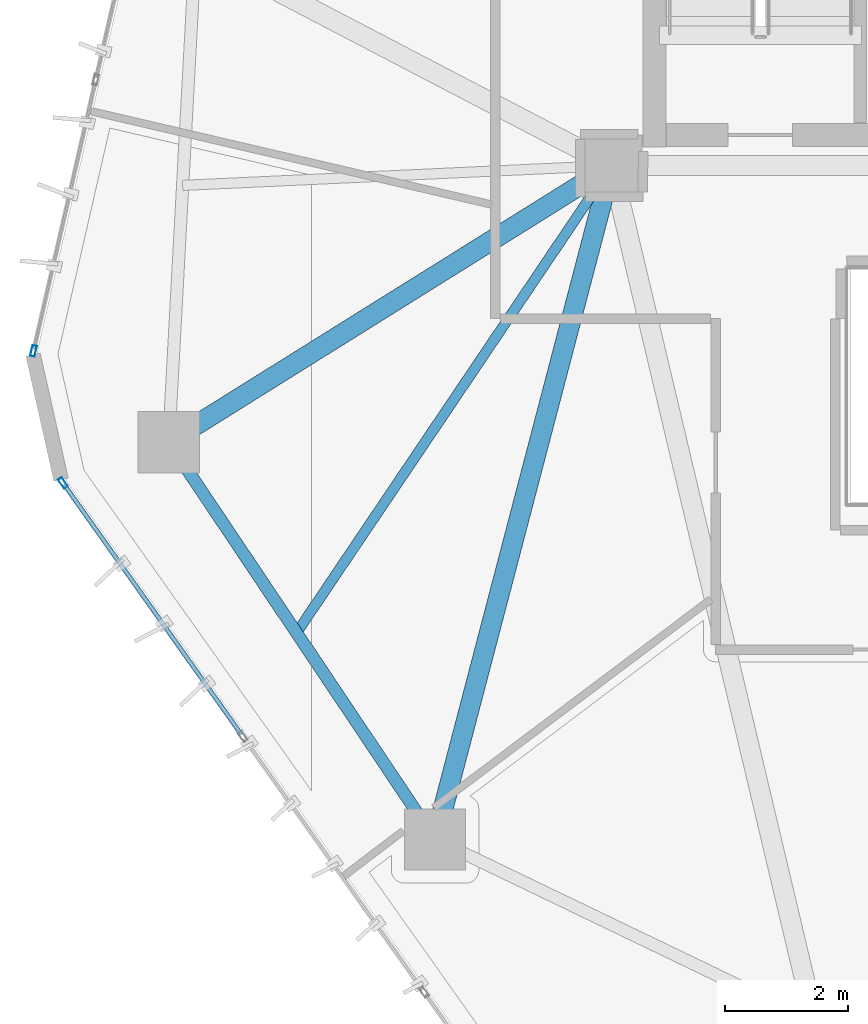
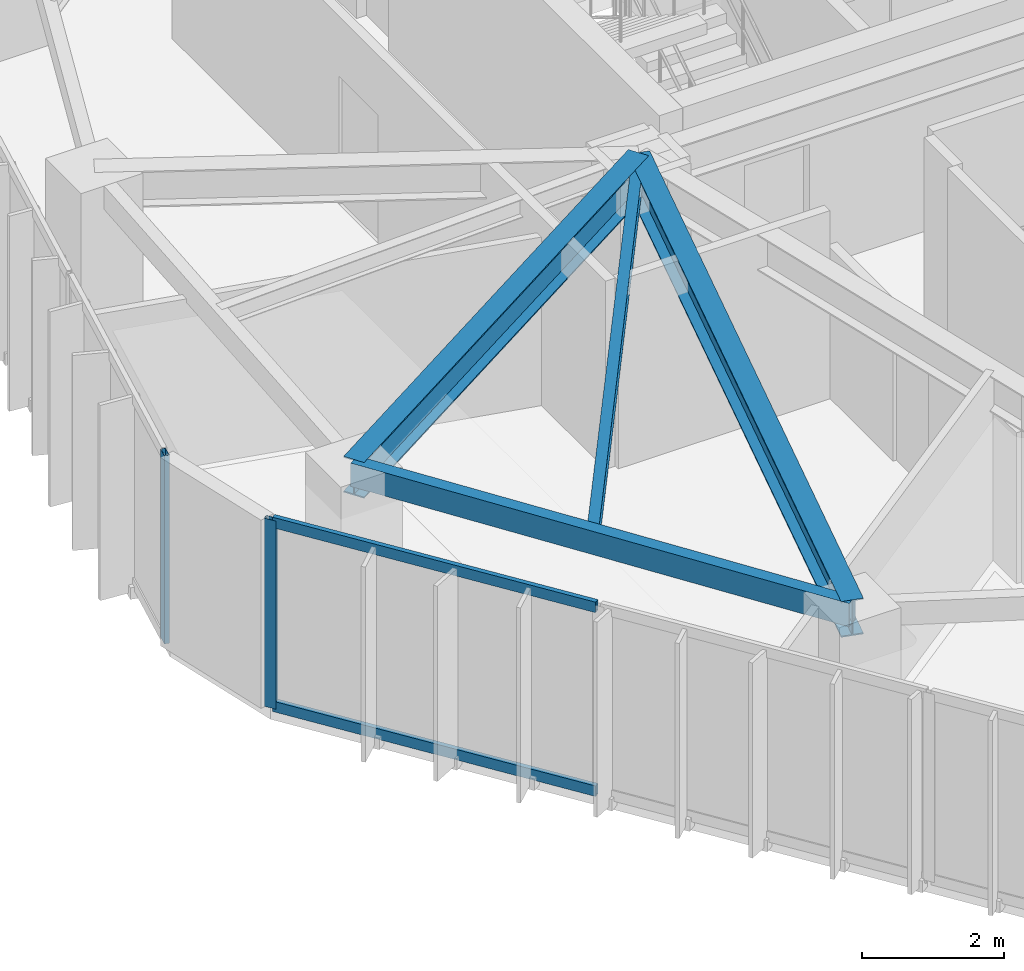
# One storey, part 3 of 18: 4 beams, 4 members, 2 elements without a shape of their own.
"""IFC4 building model written with IfcOpenShell, lengths in metres."""

import ifcopenshell
import ifcopenshell.guid

model = None  # the IFC model being written
_history = None  # IfcOwnerHistory: only IFC2X3 demands one
_inside = {}  # id of a spatial element -> (the spatial element, [elements in it])
_under = {}  # id of a project, library or spatial element -> (it, [spatial elements below it])
_declared = {}  # id of a project -> (the project, [libraries it declares])
_typed = {}  # id of a type object -> (the type object, [elements of that type])
_made_of = {}  # id of a material, layer set ... -> (it, [elements and type objects made of it])


def new_model(schema):
    """Start an empty IFC model of exactly this schema.

    Asked for "IFC4X3", IfcOpenShell would pick the latest addendum, in which some entities
    have other attributes; the version numbers below select the first issue.
    IFC2X3 requires an IfcOwnerHistory on every rooted entity: one is made here for all.
    """
    global model, _history
    if schema == "IFC4X3":
        model = ifcopenshell.file(schema_version=(4, 3, 0, 0))
    else:
        model = ifcopenshell.file(schema=schema)
    _inside.clear()
    _under.clear()
    _declared.clear()
    _typed.clear()
    _made_of.clear()
    _history = None
    if model.schema == "IFC2X3":
        org = make("IfcOrganization", Name="unknown")
        user = make(
            "IfcPersonAndOrganization",
            ThePerson=make("IfcPerson", FamilyName="unknown"),
            TheOrganization=org,
        )
        app = make(
            "IfcApplication",
            ApplicationDeveloper=org,
            Version="unknown",
            ApplicationFullName="unknown",
            ApplicationIdentifier="unknown",
        )
        _history = make(
            "IfcOwnerHistory",
            OwningUser=user,
            OwningApplication=app,
            ChangeAction="ADDED",
            CreationDate=0,
        )
    return model


def make(cls, **values):
    """One entity of the class cls with the attributes given. An attribute that is None is left unset."""
    return model.create_entity(
        cls, **{name: value for name, value in values.items() if value is not None}
    )


def rooted(cls, **values):
    """An entity with a GlobalId (a new one), such as an element, a storey or a relation."""
    return make(cls, GlobalId=ifcopenshell.guid.new(), OwnerHistory=_history, **values)


def si_unit(unit_type, name, prefix=None):
    """IfcSIUnit, for example si_unit("LENGTHUNIT", "METRE", prefix="MILLI")."""
    return make("IfcSIUnit", UnitType=unit_type, Prefix=prefix, Name=name)


def assignment(units):
    """IfcUnitAssignment: the units of a project."""
    return None if units is None else make("IfcUnitAssignment", Units=units)


def point(xyz):
    """IfcCartesianPoint."""
    return None if xyz is None else make("IfcCartesianPoint", Coordinates=xyz)


def direction(xyz):
    """IfcDirection."""
    return None if xyz is None else make("IfcDirection", DirectionRatios=xyz)


def frame(location, z_axis=None, x_axis=None):
    """IfcAxis2Placement3D, a coordinate frame: its origin and axes. An axis left out is left unset."""
    return make(
        "IfcAxis2Placement3D",
        Location=point(location),
        Axis=direction(z_axis),
        RefDirection=direction(x_axis),
    )


def frame_2d(location, x_axis=None):
    """IfcAxis2Placement2D, a coordinate frame in the plane: its origin and x axis."""
    return make(
        "IfcAxis2Placement2D", Location=point(location), RefDirection=direction(x_axis)
    )


def origin():
    """The frame at (0, 0, 0) with its axes left unset."""
    return frame((0.0, 0.0, 0.0))


def origin_2d():
    """The frame at (0, 0) in the plane with its x axis left unset."""
    return frame_2d((0.0, 0.0))


def place(relative_to, where):
    """IfcLocalPlacement: puts the frame where relative to a parent placement (None: the world)."""
    return make(
        "IfcLocalPlacement", PlacementRelTo=relative_to, RelativePlacement=where
    )


def context(
    kind, dimensions, precision=None, world=None, true_north=None, identifier=None
):
    """IfcGeometricRepresentationContext, for example the 3D "Model" context."""
    return make(
        "IfcGeometricRepresentationContext",
        ContextIdentifier=identifier,
        ContextType=kind,
        CoordinateSpaceDimension=dimensions,
        Precision=precision,
        WorldCoordinateSystem=world,
        TrueNorth=true_north,
    )


def subcontext(parent, identifier, kind, view, scale=None):
    """IfcGeometricRepresentationSubContext, for example "Body" below "Model"."""
    return make(
        "IfcGeometricRepresentationSubContext",
        ContextIdentifier=identifier,
        ContextType=kind,
        ParentContext=parent,
        TargetScale=scale,
        TargetView=view,
    )


def project(units=None, contexts=None):
    """IfcProject with its units and contexts."""
    return rooted(
        "IfcProject",
        Name="project",
        RepresentationContexts=contexts,
        UnitsInContext=assignment(units),
    )


def spatial(cls, under=None, at=None, **own):
    """A site, building, storey or space (cls), placed at a placement, below another one or the project."""
    s = rooted(cls, ObjectPlacement=at, **own)
    if under is not None:
        _under.setdefault(under.id(), (under, []))[1].append(s)
    return s


def profile(cls, at=None, kind="AREA", **sizes):
    """A parametric profile (cls). Its sizes go by their IFC names, for example OverallWidth=200.0."""
    return make(cls, ProfileType=kind, Position=at, **sizes)


def hollow_rectangle(**sizes):
    """IfcRectangleHollowProfileDef."""
    return profile("IfcRectangleHollowProfileDef", **sizes)


def i_section(**sizes):
    """IfcIShapeProfileDef."""
    return profile("IfcIShapeProfileDef", **sizes)


def extrude(swept, where, along, depth):
    """IfcExtrudedAreaSolid: the profile swept, set in the frame where, extruded along a direction by depth."""
    return make(
        "IfcExtrudedAreaSolid",
        SweptArea=swept,
        Position=where,
        ExtrudedDirection=direction(along),
        Depth=depth,
    )


def shape(context_of_items, identifier, shape_type, items):
    """IfcShapeRepresentation: the items that make up one representation, for example the "Body"."""
    return make(
        "IfcShapeRepresentation",
        ContextOfItems=context_of_items,
        RepresentationIdentifier=identifier,
        RepresentationType=shape_type,
        Items=items,
    )


def source(mapping_origin, context_of_items, identifier, shape_type, items):
    """IfcRepresentationMap: a shape defined once, which mapped items show again and again."""
    return make(
        "IfcRepresentationMap",
        MappingOrigin=mapping_origin,
        MappedRepresentation=shape(context_of_items, identifier, shape_type, items),
    )


def transform(
    local_origin,
    x_axis=None,
    y_axis=None,
    z_axis=None,
    scale=None,
    scale2=None,
    scale3=None,
    uniform=True,
):
    """IfcCartesianTransformationOperator3D, or its non-uniform kind. x_axis, y_axis, z_axis: its Axis1, 2, 3."""
    if uniform:
        return make(
            "IfcCartesianTransformationOperator3D",
            Axis1=direction(x_axis),
            Axis2=direction(y_axis),
            LocalOrigin=point(local_origin),
            Scale=scale,
            Axis3=direction(z_axis),
        )
    return make(
        "IfcCartesianTransformationOperator3DnonUniform",
        Axis1=direction(x_axis),
        Axis2=direction(y_axis),
        LocalOrigin=point(local_origin),
        Scale=scale,
        Axis3=direction(z_axis),
        Scale2=scale2,
        Scale3=scale3,
    )


def mapped(mapping_source, mapping_target):
    """IfcMappedItem: shows the shape of a source again, moved by a transform."""
    return make(
        "IfcMappedItem", MappingSource=mapping_source, MappingTarget=mapping_target
    )


def material(Name=None, Category=None):
    """IfcMaterial."""
    return make("IfcMaterial", Name=Name, Category=Category)


def layer(
    of_material, thickness, ventilated=None, Name=None, Category=None, Priority=None
):
    """IfcMaterialLayer: one layer of a wall or slab, of a material (None: an air gap)."""
    return make(
        "IfcMaterialLayer",
        Material=of_material,
        LayerThickness=thickness,
        IsVentilated=ventilated,
        Name=Name,
        Category=Category,
        Priority=Priority,
    )


def layer_set(layers, Name=None):
    """IfcMaterialLayerSet."""
    return make("IfcMaterialLayerSet", MaterialLayers=layers, LayerSetName=Name)


def material_profile(
    of_material, cross_section, Name=None, Category=None, Priority=None
):
    """IfcMaterialProfile: a cross section and its material."""
    return make(
        "IfcMaterialProfile",
        Name=Name,
        Material=of_material,
        Profile=cross_section,
        Priority=Priority,
        Category=Category,
    )


def profile_set(profiles, Name=None, composite=None):
    """IfcMaterialProfileSet."""
    return make(
        "IfcMaterialProfileSet",
        Name=Name,
        MaterialProfiles=profiles,
        CompositeProfile=composite,
    )


def made_of(thing, what):
    """Note that an element or type object is made of a material, layer set ...; save() writes the relation."""
    if what is not None:
        _made_of.setdefault(what.id(), (what, []))[1].append(thing)
    return thing


def type_object(cls, material=None, **own):
    """A type object (cls), such as IfcWallType, which elements share."""
    return made_of(rooted(cls, **own), material)


def type_shapes(of_type, sources):
    """Give a type object the sources (RepresentationMaps) that its elements show as mapped items."""
    of_type.RepresentationMaps = sources


def element(
    cls,
    number,
    at=None,
    inside=None,
    cuts=None,
    type_object=None,
    material=None,
    context=None,
    identifier="Body",
    shape_type=None,
    held_by="IfcProductDefinitionShape",
    body=None,
    shapes=None,
    **own,
):
    """One element of the class cls, such as IfcWall. Its Tag is "e" and its number.

    at: its placement. inside: the storey or other place that contains it. cuts: it is an
    opening in that element (IfcRelVoidsElement). A single representation is given by context,
    identifier, shape_type and body (its items); several are given by shapes. held_by: the class
    of the entity that holds the representations. save() writes the other relations.
    """
    e = rooted(cls, Tag="e%d" % number, ObjectPlacement=at, **own)
    if body is not None:
        shapes = [shape(context, identifier, shape_type, body)]
    if shapes is not None:
        e.Representation = make(held_by, Representations=shapes)
    if inside is not None:
        _inside.setdefault(inside.id(), (inside, []))[1].append(e)
    if cuts is not None:
        rooted(
            "IfcRelVoidsElement", RelatingBuildingElement=cuts, RelatedOpeningElement=e
        )
    if type_object is not None:
        _typed.setdefault(type_object.id(), (type_object, []))[1].append(e)
    return made_of(e, material)


def aggregate(whole, parts):
    """IfcRelAggregates: a whole, such as a stair, and the parts it consists of."""
    return rooted("IfcRelAggregates", RelatingObject=whole, RelatedObjects=parts)


def save(model, path):
    """Write the relations noted so far, then the file.

    IfcRelAggregates (storeys below a building ...), IfcRelContainedInSpatialStructure (elements
    in a storey), IfcRelDefinesByType, IfcRelAssociatesMaterial and IfcRelDeclares: one each for
    every whole, place, type object, material and project.
    """
    for whole, parts in _under.values():
        aggregate(whole, parts)
    for where, things in _inside.values():
        rooted(
            "IfcRelContainedInSpatialStructure",
            RelatedElements=things,
            RelatingStructure=where,
        )
    for kind, things in _typed.values():
        rooted("IfcRelDefinesByType", RelatedObjects=things, RelatingType=kind)
    for what, things in _made_of.values():
        rooted("IfcRelAssociatesMaterial", RelatedObjects=things, RelatingMaterial=what)
    for by, libraries in _declared.values():
        rooted("IfcRelDeclares", RelatingContext=by, RelatedDefinitions=libraries)
    model.write(path)


model = new_model("IFC4")

# Units and contexts
model_context = context("Model", 3, precision=1e-05, world=origin(), true_north=direction((0.0, 1.0)))
body_context = subcontext(model_context, "Body", "Model", "MODEL_VIEW")
ifc_project = project(units=[si_unit("LENGTHUNIT", "METRE"), si_unit("AREAUNIT", "SQUARE_METRE"), si_unit("VOLUMEUNIT", "CUBIC_METRE"), si_unit("PLANEANGLEUNIT", "RADIAN"), si_unit("MASSUNIT", "GRAM", prefix="KILO")], contexts=[model_context])

# Site, building, storey
site_placement = place(None, origin())
site = spatial("IfcSite", under=ifc_project, at=site_placement, CompositionType="ELEMENT")
building_placement = place(site_placement, origin())
building = spatial("IfcBuilding", under=site, at=building_placement, Name="Talar Marvaseh", CompositionType="ELEMENT")
storey_placement = place(building_placement, frame((0.0, 0.0, 188.0)))
storey = spatial("IfcBuildingStorey", under=building, at=storey_placement, Name="L49", CompositionType="ELEMENT", Elevation=188.0)

# Beams
ifc_material_1 = material(Name="Steel S355", Category="steel")
ifc_material_profile_1 = material_profile(ifc_material_1, hollow_rectangle(XDim=0.199951171875, YDim=0.39990234375, WallThickness=0.013916015625, at=origin_2d()), Name="RHS400x200x14")
ifc_profile_set_1 = profile_set([ifc_material_profile_1], Name="Steel S355")
beam_type_1 = type_object("IfcBeamType", Name="Zone 3 Perimeter Spandrel Beam RHS400x200x14", PredefinedType="SPANDREL", material=ifc_profile_set_1)
beam_1_placement = place(storey_placement, frame((15.819091796875, 14.5009765625, 3.030029296875), z_axis=(-0.556805579613, 0.830642851358, 0.0), x_axis=(-0.830642851358, -0.556805579613, 0.0)))
element("IfcBeam", 1, at=beam_1_placement, inside=storey, type_object=beam_type_1, Name="L49 Zone 3 Perimeter Spandrel Beam RHS400x200x14", PredefinedType="SPANDREL", context=body_context, shape_type="SweptSolid", body=[
    extrude(hollow_rectangle(XDim=0.199951171875, YDim=0.39990234375, WallThickness=0.013916015625, at=origin_2d()), origin(), (0.0, 0.0, 1.0), 7.807373046875),
])
ifc_material_profile_2 = material_profile(ifc_material_1, i_section(OverallWidth=0.324951171875, OverallDepth=0.615966796875, WebThickness=0.013916015625, FlangeThickness=0.021484375, at=origin_2d()), Name="W610x174")
ifc_profile_set_2 = profile_set([ifc_material_profile_2], Name="Steel S355")
beam_type_2 = type_object("IfcBeamType", Name="Zone 3 Radial Floor Girder W610x174", PredefinedType="BEAM", material=ifc_profile_set_2)
beam_2_placement = place(storey_placement, frame((15.819091796875, 14.5009765625, 2.922119140625), z_axis=(0.253372787776, 0.967368714821, 0.0), x_axis=(-0.967368714821, 0.253372787776, 0.0)))
element("IfcBeam", 2, at=beam_2_placement, inside=storey, type_object=beam_type_2, Name="L49 Zone 3 Radial Floor Girder W610x174", PredefinedType="BEAM", context=body_context, shape_type="SweptSolid", body=[
    extrude(i_section(OverallWidth=0.324951171875, OverallDepth=0.615966796875, WebThickness=0.013916015625, FlangeThickness=0.021484375, at=origin_2d()), origin(), (0.0, 0.0, 1.0), 11.3701171875),
])
beam_3_placement = place(storey_placement, frame((11.471923828125, 20.986083984375, 2.922119140625), z_axis=(0.848188171212, 0.52969503133, 0.0), x_axis=(-0.52969503133, 0.848188171212, 0.0)))
element("IfcBeam", 3, at=beam_3_placement, inside=storey, type_object=beam_type_2, Name="L49 Zone 3 Radial Floor Girder W610x174", PredefinedType="BEAM", context=body_context, shape_type="SweptSolid", body=[
    extrude(i_section(OverallWidth=0.324951171875, OverallDepth=0.615966796875, WebThickness=0.013916015625, FlangeThickness=0.021484375, at=origin_2d()), origin(), (0.0, 0.0, 1.0), 8.521728515625),
])
ifc_material_profile_3 = material_profile(ifc_material_1, i_section(OverallWidth=0.166015625, OverallDepth=0.31298828125, WebThickness=0.006591796875, FlangeThickness=0.01123046875, at=origin_2d()), Name="W310x45")
ifc_profile_set_3 = profile_set([ifc_material_profile_3], Name="Steel S355")
beam_type_3 = type_object("IfcBeamType", Name="Zone 3 Secondary Floor Joist W310x45", PredefinedType="JOIST", material=ifc_profile_set_3)
beam_4_placement = place(storey_placement, frame((13.55859375, 17.873291015625, 3.073486328125), z_axis=(0.558974483718, 0.829184856683, 0.0), x_axis=(-0.829184856683, 0.558974483718, 0.0)))
element("IfcBeam", 4, at=beam_4_placement, inside=storey, type_object=beam_type_3, Name="L49 Zone 3 Secondary Floor Joist W310x45", PredefinedType="JOIST", context=body_context, shape_type="SweptSolid", body=[
    extrude(i_section(OverallWidth=0.166015625, OverallDepth=0.31298828125, WebThickness=0.006591796875, FlangeThickness=0.01123046875, at=origin_2d()), origin(), (0.0, 0.0, 1.0), 9.19775390625),
])

# Curtain wall, member
ifc_material_2 = material(Name="Architectural Aluminium", Category="aluminium")
ifc_layer = layer(ifc_material_2, 0.18994140625)
ifc_layer_set = layer_set([ifc_layer], Name="Architectural Aluminium")
curtain_wall_type = type_object("IfcCurtainWallType", Name="Unitised Solar Atelier Curtain Wall Z3", PredefinedType="NOTDEFINED", material=ifc_layer_set)
curtain_wall_1_placement = place(storey_placement, origin())
curtain_wall_1 = element("IfcCurtainWall", 5, at=curtain_wall_1_placement, inside=storey, type_object=curtain_wall_type, Name="L49 Unitised Solar Atelier Curtain Wall Z3", PredefinedType="NOTDEFINED")
ifc_material_profile_4 = material_profile(ifc_material_2, hollow_rectangle(XDim=0.074951171875, YDim=0.179931640625, WallThickness=0.0048828125, at=origin_2d()), Name="RHS180x75x5")
ifc_profile_set_4 = profile_set([ifc_material_profile_4], Name="Architectural Aluminium")
member_type_1 = type_object("IfcMemberType", Name="Unitised Curtain Wall Standard Mullion RHS180x75x5", PredefinedType="MULLION", material=ifc_profile_set_4)
shared_shape_1 = source(origin(), body_context, "Body", "SweptSolid", [
    extrude(hollow_rectangle(XDim=0.074951171875, YDim=0.179931640625, WallThickness=0.0048828125, at=origin_2d()), origin(), (0.0, 0.0, 1.0), 3.22998046875),
])
type_shapes(member_type_1, [shared_shape_1])
member_1_placement = place(storey_placement, frame((9.744873046875, 20.3212890625, 0.0), z_axis=(0.0, 0.0, 1.0), x_axis=(-0.815673266226, -0.57851285445, 0.0)))
member_1 = element("IfcMember", 6, at=member_1_placement, type_object=member_type_1, Name="CW-Z3 mullion 4", PredefinedType="MULLION", context=body_context, shape_type="MappedRepresentation", body=[
    mapped(shared_shape_1, transform((0.0, 0.0, 0.0), x_axis=(1.0, 0.0, 0.0), y_axis=(0.0, 1.0, 0.0), z_axis=(0.0, 0.0, 1.0), scale=1.0)),
])

curtain_wall_2_placement = place(storey_placement, origin())
curtain_wall_2 = element("IfcCurtainWall", 7, at=curtain_wall_2_placement, inside=storey, type_object=curtain_wall_type, Name="L49 Unitised Solar Atelier Curtain Wall Z3", PredefinedType="NOTDEFINED")
member_2_placement = place(storey_placement, frame((9.265380859375, 22.474609375, 0.0), z_axis=(0.0, 0.0, 1.0), x_axis=(-0.97463596789, 0.223796179806, 0.0)))
member_2 = element("IfcMember", 8, at=member_2_placement, type_object=member_type_1, Name="CW-Z3 mullion 1", PredefinedType="MULLION", context=body_context, shape_type="MappedRepresentation", body=[
    mapped(shared_shape_1, transform((0.0, 0.0, 0.0), x_axis=(1.0, 0.0, 0.0), y_axis=(0.0, 1.0, 0.0), z_axis=(0.0, 0.0, 1.0), scale=1.0)),
])
aggregate(curtain_wall_2, [member_2])

# Member
ifc_material_profile_5 = material_profile(ifc_material_2, hollow_rectangle(XDim=0.074951171875, YDim=0.179931640625, WallThickness=0.0048828125, at=origin_2d()), Name="RHS180x75x5")
ifc_profile_set_5 = profile_set([ifc_material_profile_5], Name="Architectural Aluminium")
member_type_2 = type_object("IfcMemberType", Name="Unitised Curtain Wall Transom RHS180x75x5", PredefinedType="USERDEFINED", material=ifc_profile_set_5)
shared_shape_2 = source(origin(), body_context, "Body", "SweptSolid", [
    extrude(hollow_rectangle(XDim=0.074951171875, YDim=0.179931640625, WallThickness=0.0048828125, at=origin_2d()), origin(), (0.0, 0.0, 1.0), 5.00048828125),
])
type_shapes(member_type_2, [shared_shape_2])
member_3_placement = place(storey_placement, frame((12.659423828125, 16.2119140625, 0.03759765625), z_axis=(-0.578500838556, 0.815681788316, 0.0), x_axis=(-0.815681788316, -0.578500838556, 0.0)))
member_3 = element("IfcMember", 9, at=member_3_placement, type_object=member_type_2, Name="CW-Z3 transom 3.1", ObjectType="TRANSOM", PredefinedType="USERDEFINED", context=body_context, shape_type="MappedRepresentation", body=[
    mapped(shared_shape_2, transform((0.0, 0.0, 0.0), x_axis=(1.0, 0.0, 0.0), y_axis=(0.0, 1.0, 0.0), z_axis=(0.0, 0.0, 1.0), scale=1.0)),
])

member_4_placement = place(storey_placement, frame((12.659423828125, 16.2119140625, 3.1923828125), z_axis=(-0.578500838556, 0.815681788316, 0.0), x_axis=(-0.815681788316, -0.578500838556, 0.0)))
member_4 = element("IfcMember", 10, at=member_4_placement, type_object=member_type_2, Name="CW-Z3 transom 3.2", ObjectType="TRANSOM", PredefinedType="USERDEFINED", context=body_context, shape_type="MappedRepresentation", body=[
    mapped(shared_shape_2, transform((0.0, 0.0, 0.0), x_axis=(1.0, 0.0, 0.0), y_axis=(0.0, 1.0, 0.0), z_axis=(0.0, 0.0, 1.0), scale=1.0)),
])

aggregate(curtain_wall_1, [member_1, member_3, member_4])

save(model, "model.ifc")
